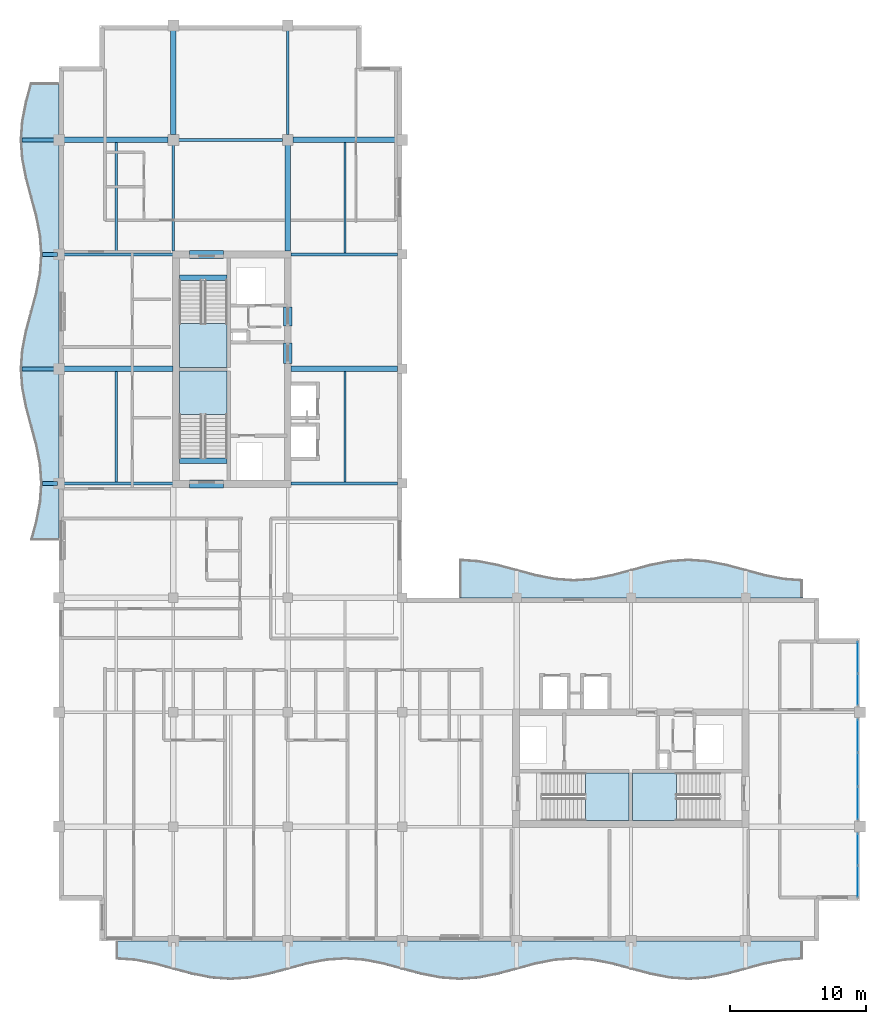
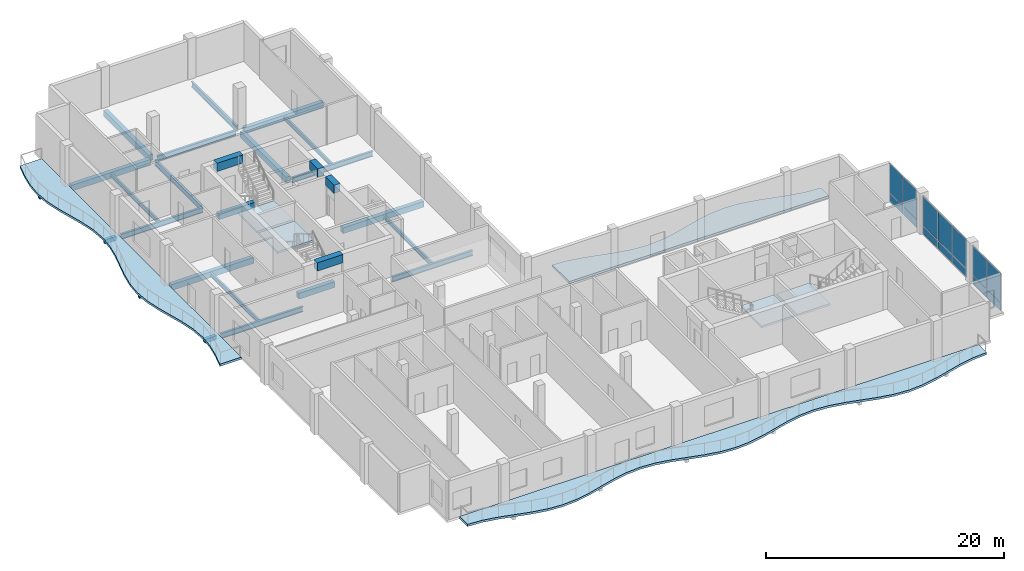
# One storey, part 5 of 16: 27 beams, 14 plates, 7 slabs, 7 elements without a shape of their own.
"""IFC4 building model written with IfcOpenShell, lengths in metres."""

from ifc_helpers import new_model, si_unit, direction, frame, origin, origin_2d, place, context, subcontext, project, spatial, polyline, rectangle, i_section, outline, extrude, material, layer, layer_set, material_profile, profile_set, type_object, element, aggregate, save


model = new_model("IFC4")

# Units and contexts
model_context = context("Model", 3, precision=1e-05, world=origin(), true_north=direction((0.0, 1.0)))
body_context = subcontext(model_context, "Body", "Model", "MODEL_VIEW")
ifc_project = project(units=[si_unit("LENGTHUNIT", "METRE"), si_unit("AREAUNIT", "SQUARE_METRE"), si_unit("VOLUMEUNIT", "CUBIC_METRE"), si_unit("PLANEANGLEUNIT", "RADIAN"), si_unit("MASSUNIT", "GRAM", prefix="KILO")], contexts=[model_context])

# Site, building, storey
site_placement = place(None, origin())
site = spatial("IfcSite", under=ifc_project, at=site_placement, CompositionType="ELEMENT")
building_placement = place(site_placement, origin())
building = spatial("IfcBuilding", under=site, at=building_placement, Name="Koriwani Terraces Tower", CompositionType="ELEMENT")
storey_placement = place(building_placement, frame((0.0, 0.0, 355.39990234375)))
storey = spatial("IfcBuildingStorey", under=building, at=storey_placement, Name="L88", CompositionType="ELEMENT", Elevation=355.39990234375)

# Beams
ifc_material_1 = material(Name="Concrete C40/50", Category="concrete")
ifc_material_profile_1 = material_profile(ifc_material_1, rectangle(XDim=0.300048828125, YDim=0.39990234375, at=origin_2d()), Name="Concrete C40/50", Category="LoadBearing")
ifc_profile_set_1 = profile_set([ifc_material_profile_1], Name="Concrete C40/50")
beam_type_1 = type_object("IfcBeamType", Name="BEAM_RC_BALCONY_RIB_300X400", PredefinedType="JOIST", material=ifc_profile_set_1)
beam_1_placement = place(storey_placement, frame((7.199951171875, 42.0, -0.429931640625), z_axis=(1.0, 0.0, 0.0), x_axis=(0.0, 1.0, 0.0)))
element("IfcBeam", 1, at=beam_1_placement, inside=storey, type_object=beam_type_1, Name="L88 Balcony Bracket Rib W-1", PredefinedType="JOIST", context=body_context, shape_type="SweptSolid", body=[
    extrude(rectangle(XDim=0.300048828125, YDim=0.39990234375, at=origin_2d()), origin(), (0.0, 0.0, 1.0), 1.10009765625),
])
beam_2_placement = place(storey_placement, frame((5.699951171875, 50.39990234375, -0.429931640625), z_axis=(1.0, 0.0, 0.0), x_axis=(0.0, 1.0, 0.0)))
element("IfcBeam", 2, at=beam_2_placement, inside=storey, type_object=beam_type_1, Name="L88 Balcony Bracket Rib W-2", PredefinedType="JOIST", context=body_context, shape_type="SweptSolid", body=[
    extrude(rectangle(XDim=0.300048828125, YDim=0.39990234375, at=origin_2d()), origin(), (0.0, 0.0, 1.0), 2.60009765625),
])
beam_3_placement = place(storey_placement, frame((7.199951171875, 58.800048828125, -0.429931640625), z_axis=(1.0, 0.0, 0.0), x_axis=(0.0, 1.0, 0.0)))
element("IfcBeam", 3, at=beam_3_placement, inside=storey, type_object=beam_type_1, Name="L88 Balcony Bracket Rib W-3", PredefinedType="JOIST", context=body_context, shape_type="SweptSolid", body=[
    extrude(rectangle(XDim=0.300048828125, YDim=0.39990234375, at=origin_2d()), origin(), (0.0, 0.0, 1.0), 1.10009765625),
])
beam_4_placement = place(storey_placement, frame((5.699951171875, 67.199951171875, -0.429931640625), z_axis=(1.0, 0.0, 0.0), x_axis=(0.0, 1.0, 0.0)))
element("IfcBeam", 4, at=beam_4_placement, inside=storey, type_object=beam_type_1, Name="L88 Balcony Bracket Rib W-4", PredefinedType="JOIST", context=body_context, shape_type="SweptSolid", body=[
    extrude(rectangle(XDim=0.300048828125, YDim=0.39990234375, at=origin_2d()), origin(), (0.0, 0.0, 1.0), 2.60009765625),
])
ifc_material_2 = material(Name="Concrete C50/60", Category="concrete")
ifc_material_profile_2 = material_profile(ifc_material_2, rectangle(XDim=0.60009765625, YDim=0.85009765625, at=origin_2d()), Name="Concrete C50/60", Category="LoadBearing")
ifc_profile_set_2 = profile_set([ifc_material_profile_2], Name="Concrete C50/60")
beam_type_2 = type_object("IfcBeamType", Name="BEAM_RC_COUPLING_600X850", PredefinedType="LINTEL", material=ifc_profile_set_2)
beam_5_placement = place(storey_placement, frame((25.199951171875, 50.800048828125, 3.545166015625), z_axis=(0.0, 1.0, 0.0), x_axis=(-1.0, 0.0, 0.0)))
element("IfcBeam", 5, at=beam_5_placement, inside=storey, type_object=beam_type_2, Name="L88 Core Coupling Lintel Beam WE1", PredefinedType="LINTEL", context=body_context, shape_type="SweptSolid", body=[
    extrude(rectangle(XDim=0.60009765625, YDim=0.85009765625, at=origin_2d()), origin(), (0.0, 0.0, 1.0), 1.47998046875),
])
beam_6_placement = place(storey_placement, frame((25.199951171875, 53.550048828125, 3.545166015625), z_axis=(0.0, 1.0, 0.0), x_axis=(-1.0, 0.0, 0.0)))
element("IfcBeam", 6, at=beam_6_placement, inside=storey, type_object=beam_type_2, Name="L88 Core Coupling Lintel Beam WE2", PredefinedType="LINTEL", context=body_context, shape_type="SweptSolid", body=[
    extrude(rectangle(XDim=0.60009765625, YDim=0.85009765625, at=origin_2d()), origin(), (0.0, 0.0, 1.0), 1.39990234375),
])
for number, where, z_axis, x_axis, name in (
    (7, (18.0, 41.949951171875, 3.545166015625), (1.0, 0.0, 0.0), (0.0, 1.0, 0.0), "L88 Core Coupling Lintel Beam WS"),
    (8, (18.0, 58.800048828125, 3.545166015625), (1.0, 0.0, 0.0), (0.0, 1.0, 0.0), "L88 Core Coupling Lintel Beam WN"),
):
    element("IfcBeam", number, at=place(storey_placement, frame(where, z_axis=z_axis, x_axis=x_axis)), inside=storey, type_object=beam_type_2, Name=name, PredefinedType="LINTEL", context=body_context, shape_type="SweptSolid", body=[
        extrude(rectangle(XDim=0.60009765625, YDim=0.85009765625, at=origin_2d()), origin(), (0.0, 0.0, 1.0), 2.5),
    ])
ifc_material_profile_3 = material_profile(ifc_material_1, rectangle(XDim=0.39990234375, YDim=0.60009765625, at=origin_2d()), Name="Concrete C40/50", Category="LoadBearing")
ifc_profile_set_3 = profile_set([ifc_material_profile_3], Name="Concrete C40/50")
beam_type_3 = type_object("IfcBeamType", Name="BEAM_RC_GRID_400X600", PredefinedType="BEAM", material=ifc_profile_set_3)
for number, where, z_axis, x_axis, name in (
    (9, (17.25, 43.655029296875, -0.2998046875), (1.0, 0.0, 0.0), (0.0, 1.0, 0.0), "L88 Stairwell Header Trimmer Beam ST-W1"),
    (10, (17.25, 57.094970703125, -0.2998046875), (1.0, 0.0, 0.0), (0.0, 1.0, 0.0), "L88 Stairwell Header Trimmer Beam ST-W2"),
):
    element("IfcBeam", number, at=place(storey_placement, frame(where, z_axis=z_axis, x_axis=x_axis)), inside=storey, type_object=beam_type_3, Name=name, PredefinedType="BEAM", context=body_context, shape_type="SweptSolid", body=[
        extrude(rectangle(XDim=0.39990234375, YDim=0.60009765625, at=origin_2d()), origin(), (0.0, 0.0, 1.0), 3.5),
    ])
beam_7_placement = place(storey_placement, frame((8.780029296875, 50.39990234375, -0.52978515625), z_axis=(1.0, 0.0, 0.0), x_axis=(0.0, 1.0, 0.0)))
element("IfcBeam", 11, at=beam_7_placement, inside=storey, type_object=beam_type_3, Name="L88 Grid Beam G (8.4-16.8m)", PredefinedType="BEAM", context=body_context, shape_type="SweptSolid", body=[
    extrude(rectangle(XDim=0.39990234375, YDim=0.60009765625, at=origin_2d()), origin(), (0.0, 0.0, 1.0), 7.989990234375),
])
beam_8_placement = place(storey_placement, frame((25.429931640625, 50.39990234375, -0.52978515625), z_axis=(1.0, 0.0, 0.0), x_axis=(0.0, 1.0, 0.0)))
element("IfcBeam", 12, at=beam_8_placement, inside=storey, type_object=beam_type_3, Name="L88 Grid Beam G (25.2-33.6m)", PredefinedType="BEAM", context=body_context, shape_type="SweptSolid", body=[
    extrude(rectangle(XDim=0.39990234375, YDim=0.60009765625, at=origin_2d()), origin(), (0.0, 0.0, 1.0), 7.840087890625),
])
for number, where, z_axis, x_axis, name in (
    (13, (8.780029296875, 67.199951171875, -0.52978515625), (1.0, 0.0, 0.0), (0.0, 1.0, 0.0), "L88 Grid Beam I (8.4-16.8m)"),
    (14, (25.580078125, 67.199951171875, -0.52978515625), (1.0, 0.0, 0.0), (0.0, 1.0, 0.0), "L88 Grid Beam I (25.2-33.6m)"),
    (15, (16.800048828125, 67.580078125, -0.52978515625), (0.0, 1.0, 0.0), (-1.0, 0.0, 0.0), "L88 Grid Beam 3 (67.2-75.6m)"),
):
    element("IfcBeam", number, at=place(storey_placement, frame(where, z_axis=z_axis, x_axis=x_axis)), inside=storey, type_object=beam_type_3, Name=name, PredefinedType="BEAM", context=body_context, shape_type="SweptSolid", body=[
        extrude(rectangle(XDim=0.39990234375, YDim=0.60009765625, at=origin_2d()), origin(), (0.0, 0.0, 1.0), 7.639892578125),
    ])
beam_9_placement = place(storey_placement, frame((25.199951171875, 59.030029296875, -0.52978515625), z_axis=(0.0, 1.0, 0.0), x_axis=(-1.0, 0.0, 0.0)))
element("IfcBeam", 16, at=beam_9_placement, inside=storey, type_object=beam_type_3, Name="L88 Grid Beam 4 (58.8-67.2m)", PredefinedType="BEAM", context=body_context, shape_type="SweptSolid", body=[
    extrude(rectangle(XDim=0.39990234375, YDim=0.60009765625, at=origin_2d()), origin(), (0.0, 0.0, 1.0), 7.7900390625),
])
ifc_material_3 = material(Name="Steel ASTM A572 Grade 50", Category="steel")
ifc_material_profile_4 = material_profile(ifc_material_3, i_section(OverallWidth=0.180908203125, OverallDepth=0.4169921875, WebThickness=0.010986328125, FlangeThickness=0.018310546875, at=origin_2d()), Name="Steel ASTM A572 Grade 50", Category="LoadBearing")
ifc_profile_set_4 = profile_set([ifc_material_profile_4], Name="Steel ASTM A572 Grade 50")
beam_type_4 = type_object("IfcBeamType", Name="STEEL_BEAM_W410X85", PredefinedType="JOIST", material=ifc_profile_set_4)
for number, where, z_axis, x_axis, name in (
    (17, (12.60009765625, 42.095947265625, -0.4384765625), (0.0, 1.0, 0.0), (-1.0, 0.0, 0.0), "L88 Secondary Steel Floor Joist X=12.6m"),
    (18, (12.60009765625, 58.89599609375, -0.4384765625), (0.0, 1.0, 0.0), (-1.0, 0.0, 0.0), "L88 Secondary Steel Floor Joist X=12.6m"),
    (19, (29.39990234375, 42.095947265625, -0.4384765625), (0.0, 1.0, 0.0), (-1.0, 0.0, 0.0), "L88 Secondary Steel Floor Joist X=29.4m"),
    (20, (29.39990234375, 58.89599609375, -0.4384765625), (0.0, 1.0, 0.0), (-1.0, 0.0, 0.0), "L88 Secondary Steel Floor Joist X=29.4m"),
):
    element("IfcBeam", number, at=place(storey_placement, frame(where, z_axis=z_axis, x_axis=x_axis)), inside=storey, type_object=beam_type_4, Name=name, PredefinedType="JOIST", context=body_context, shape_type="SweptSolid", body=[
        extrude(i_section(OverallWidth=0.180908203125, OverallDepth=0.4169921875, WebThickness=0.010986328125, FlangeThickness=0.018310546875, at=origin_2d()), origin(), (0.0, 0.0, 1.0), 8.114013671875),
    ])
ifc_material_profile_5 = material_profile(ifc_material_3, i_section(OverallWidth=0.2119140625, OverallDepth=0.54296875, WebThickness=0.0126953125, FlangeThickness=0.021240234375, at=origin_2d()), Name="Steel ASTM A572 Grade 50", Category="LoadBearing")
ifc_profile_set_5 = profile_set([ifc_material_profile_5], Name="Steel ASTM A572 Grade 50")
beam_type_5 = type_object("IfcBeamType", Name="STEEL_BEAM_W530X150", PredefinedType="BEAM", material=ifc_profile_set_5)
beam_10_placement = place(storey_placement, frame((8.780029296875, 42.0, -0.50146484375), z_axis=(1.0, 0.0, 0.0), x_axis=(0.0, 1.0, 0.0)))
element("IfcBeam", 21, at=beam_10_placement, inside=storey, type_object=beam_type_5, Name="L88 Grid Beam F (8.4-16.8m)", PredefinedType="BEAM", context=body_context, shape_type="SweptSolid", body=[
    extrude(i_section(OverallWidth=0.2119140625, OverallDepth=0.54296875, WebThickness=0.0126953125, FlangeThickness=0.021240234375, at=origin_2d()), origin(), (0.0, 0.0, 1.0), 7.989990234375),
])
beam_11_placement = place(storey_placement, frame((25.429931640625, 42.0, -0.50146484375), z_axis=(1.0, 0.0, 0.0), x_axis=(0.0, 1.0, 0.0)))
element("IfcBeam", 22, at=beam_11_placement, inside=storey, type_object=beam_type_5, Name="L88 Grid Beam F (25.2-33.6m)", PredefinedType="BEAM", context=body_context, shape_type="SweptSolid", body=[
    extrude(i_section(OverallWidth=0.2119140625, OverallDepth=0.54296875, WebThickness=0.0126953125, FlangeThickness=0.021240234375, at=origin_2d()), origin(), (0.0, 0.0, 1.0), 7.840087890625),
])
beam_12_placement = place(storey_placement, frame((8.780029296875, 58.800048828125, -0.50146484375), z_axis=(1.0, 0.0, 0.0), x_axis=(0.0, 1.0, 0.0)))
element("IfcBeam", 23, at=beam_12_placement, inside=storey, type_object=beam_type_5, Name="L88 Grid Beam H (8.4-16.8m)", PredefinedType="BEAM", context=body_context, shape_type="SweptSolid", body=[
    extrude(i_section(OverallWidth=0.2119140625, OverallDepth=0.54296875, WebThickness=0.0126953125, FlangeThickness=0.021240234375, at=origin_2d()), origin(), (0.0, 0.0, 1.0), 7.989990234375),
])
beam_13_placement = place(storey_placement, frame((25.429931640625, 58.800048828125, -0.50146484375), z_axis=(1.0, 0.0, 0.0), x_axis=(0.0, 1.0, 0.0)))
element("IfcBeam", 24, at=beam_13_placement, inside=storey, type_object=beam_type_5, Name="L88 Grid Beam H (25.2-33.6m)", PredefinedType="BEAM", context=body_context, shape_type="SweptSolid", body=[
    extrude(i_section(OverallWidth=0.2119140625, OverallDepth=0.54296875, WebThickness=0.0126953125, FlangeThickness=0.021240234375, at=origin_2d()), origin(), (0.0, 0.0, 1.0), 7.840087890625),
])
beam_14_placement = place(storey_placement, frame((17.179931640625, 67.199951171875, -0.50146484375), z_axis=(1.0, 0.0, 0.0), x_axis=(0.0, 1.0, 0.0)))
element("IfcBeam", 25, at=beam_14_placement, inside=storey, type_object=beam_type_5, Name="L88 Grid Beam I (16.8-25.2m)", PredefinedType="BEAM", context=body_context, shape_type="SweptSolid", body=[
    extrude(i_section(OverallWidth=0.2119140625, OverallDepth=0.54296875, WebThickness=0.0126953125, FlangeThickness=0.021240234375, at=origin_2d()), origin(), (0.0, 0.0, 1.0), 7.64013671875),
])
beam_15_placement = place(storey_placement, frame((16.800048828125, 59.030029296875, -0.50146484375), z_axis=(0.0, 1.0, 0.0), x_axis=(-1.0, 0.0, 0.0)))
element("IfcBeam", 26, at=beam_15_placement, inside=storey, type_object=beam_type_5, Name="L88 Grid Beam 3 (58.8-67.2m)", PredefinedType="BEAM", context=body_context, shape_type="SweptSolid", body=[
    extrude(i_section(OverallWidth=0.2119140625, OverallDepth=0.54296875, WebThickness=0.0126953125, FlangeThickness=0.021240234375, at=origin_2d()), origin(), (0.0, 0.0, 1.0), 7.7900390625),
])
beam_16_placement = place(storey_placement, frame((25.199951171875, 67.580078125, -0.50146484375), z_axis=(0.0, 1.0, 0.0), x_axis=(-1.0, 0.0, 0.0)))
element("IfcBeam", 27, at=beam_16_placement, inside=storey, type_object=beam_type_5, Name="L88 Grid Beam 4 (67.2-75.6m)", PredefinedType="BEAM", context=body_context, shape_type="SweptSolid", body=[
    extrude(i_section(OverallWidth=0.2119140625, OverallDepth=0.54296875, WebThickness=0.0126953125, FlangeThickness=0.021240234375, at=origin_2d()), origin(), (0.0, 0.0, 1.0), 7.639892578125),
])

# Curtain wall, plates
ifc_material_4 = material(Name="Anodised Bronze Aluminium", Category="aluminium")
ifc_layer_1 = layer(ifc_material_4, 0.18994140625, Name="Anodised Bronze Aluminium")
ifc_layer_set_1 = layer_set([ifc_layer_1], Name="Anodised Bronze Aluminium")
curtain_wall_type = type_object("IfcCurtainWallType", Name="CW_PENTHOUSE_ZONE5", PredefinedType="NOTDEFINED", material=ifc_layer_set_1)
curtain_wall_1_placement = place(storey_placement, origin())
curtain_wall_1 = element("IfcCurtainWall", 28, at=curtain_wall_1_placement, inside=storey, type_object=curtain_wall_type, Name="L88 Unitised Curtain Wall (E_TIP) Bay 1", PredefinedType="NOTDEFINED")
ifc_material_5 = material(Name="Tempered Laminated Low-E Glass", Category="glass")
ifc_layer_2 = layer(ifc_material_5, 0.028076171875, Name="Tempered Laminated Low-E Glass")
ifc_layer_set_2 = layer_set([ifc_layer_2], Name="Tempered Laminated Low-E Glass")
plate_type = type_object("IfcPlateType", Name="CW_PANEL_VISION_28", PredefinedType="CURTAIN_PANEL", material=ifc_layer_set_2)
plate_1_placement = place(storey_placement, frame((67.02490234375, 29.215087890625, 0.06494140625), z_axis=(0.0, 0.0, 1.0), x_axis=(0.0, -1.0, 0.0)))
plate_1 = element("IfcPlate", 29, at=plate_1_placement, type_object=plate_type, Name="CW-Z5 panel 1.1", PredefinedType="CURTAIN_PANEL", context=body_context, shape_type="SweptSolid", body=[
    extrude(rectangle(XDim=2.27001953125, YDim=0.028076171875, at=origin_2d()), origin(), (0.0, 0.0, 1.0), 0.802490234375),
])
plate_2_placement = place(storey_placement, frame((67.02490234375, 29.215087890625, 0.9326171875), z_axis=(0.0, 0.0, 1.0), x_axis=(0.0, -1.0, 0.0)))
plate_2 = element("IfcPlate", 30, at=plate_2_placement, type_object=plate_type, Name="CW-Z5 panel 1.2", PredefinedType="CURTAIN_PANEL", context=body_context, shape_type="SweptSolid", body=[
    extrude(rectangle(XDim=2.27001953125, YDim=0.028076171875, at=origin_2d()), origin(), (0.0, 0.0, 1.0), 2.972412109375),
])
plate_3_placement = place(storey_placement, frame((67.02490234375, 26.8701171875, 0.06494140625), z_axis=(0.0, 0.0, 1.0), x_axis=(0.0, -1.0, 0.0)))
plate_3 = element("IfcPlate", 31, at=plate_3_placement, type_object=plate_type, Name="CW-Z5 panel 2.1", PredefinedType="CURTAIN_PANEL", context=body_context, shape_type="SweptSolid", body=[
    extrude(rectangle(XDim=2.27001953125, YDim=0.028076171875, at=origin_2d()), origin(), (0.0, 0.0, 1.0), 0.802490234375),
])
plate_4_placement = place(storey_placement, frame((67.02490234375, 26.8701171875, 0.9326171875), z_axis=(0.0, 0.0, 1.0), x_axis=(0.0, -1.0, 0.0)))
plate_4 = element("IfcPlate", 32, at=plate_4_placement, type_object=plate_type, Name="CW-Z5 panel 2.2", PredefinedType="CURTAIN_PANEL", context=body_context, shape_type="SweptSolid", body=[
    extrude(rectangle(XDim=2.27001953125, YDim=0.028076171875, at=origin_2d()), origin(), (0.0, 0.0, 1.0), 2.972412109375),
])
aggregate(curtain_wall_1, [plate_1, plate_2, plate_3, plate_4])

curtain_wall_2_placement = place(storey_placement, origin())
curtain_wall_2 = element("IfcCurtainWall", 33, at=curtain_wall_2_placement, inside=storey, type_object=curtain_wall_type, Name="L88 Unitised Curtain Wall (E_TIP) Bay 2", PredefinedType="NOTDEFINED")
plate_5_placement = place(storey_placement, frame((67.02490234375, 23.474609375, 0.06494140625), z_axis=(0.0, 0.0, 1.0), x_axis=(0.0, -1.0, 0.0)))
plate_5 = element("IfcPlate", 34, at=plate_5_placement, type_object=plate_type, Name="CW-Z5 panel 1.1", PredefinedType="CURTAIN_PANEL", context=body_context, shape_type="SweptSolid", body=[
    extrude(rectangle(XDim=2.380859375, YDim=0.028076171875, at=origin_2d()), origin(), (0.0, 0.0, 1.0), 0.802490234375),
])
plate_6_placement = place(storey_placement, frame((67.02490234375, 23.474609375, 0.9326171875), z_axis=(0.0, 0.0, 1.0), x_axis=(0.0, -1.0, 0.0)))
plate_6 = element("IfcPlate", 35, at=plate_6_placement, type_object=plate_type, Name="CW-Z5 panel 1.2", PredefinedType="CURTAIN_PANEL", context=body_context, shape_type="SweptSolid", body=[
    extrude(rectangle(XDim=2.380859375, YDim=0.028076171875, at=origin_2d()), origin(), (0.0, 0.0, 1.0), 2.972412109375),
])
plate_7_placement = place(storey_placement, frame((67.02490234375, 21.0, 0.06494140625), z_axis=(0.0, 0.0, 1.0), x_axis=(0.0, -1.0, 0.0)))
plate_7 = element("IfcPlate", 36, at=plate_7_placement, type_object=plate_type, Name="CW-Z5 panel 2.1", PredefinedType="CURTAIN_PANEL", context=body_context, shape_type="SweptSolid", body=[
    extrude(rectangle(XDim=2.418212890625, YDim=0.028076171875, at=origin_2d()), origin(), (0.0, 0.0, 1.0), 0.802490234375),
])
plate_8_placement = place(storey_placement, frame((67.02490234375, 21.0, 0.9326171875), z_axis=(0.0, 0.0, 1.0), x_axis=(0.0, -1.0, 0.0)))
plate_8 = element("IfcPlate", 37, at=plate_8_placement, type_object=plate_type, Name="CW-Z5 panel 2.2", PredefinedType="CURTAIN_PANEL", context=body_context, shape_type="SweptSolid", body=[
    extrude(rectangle(XDim=2.418212890625, YDim=0.028076171875, at=origin_2d()), origin(), (0.0, 0.0, 1.0), 2.972412109375),
])
plate_9_placement = place(storey_placement, frame((67.02490234375, 18.525390625, 0.06494140625), z_axis=(0.0, 0.0, 1.0), x_axis=(0.0, -1.0, 0.0)))
plate_9 = element("IfcPlate", 38, at=plate_9_placement, type_object=plate_type, Name="CW-Z5 panel 3.1", PredefinedType="CURTAIN_PANEL", context=body_context, shape_type="SweptSolid", body=[
    extrude(rectangle(XDim=2.380859375, YDim=0.028076171875, at=origin_2d()), origin(), (0.0, 0.0, 1.0), 0.802490234375),
])
plate_10_placement = place(storey_placement, frame((67.02490234375, 18.525390625, 0.9326171875), z_axis=(0.0, 0.0, 1.0), x_axis=(0.0, -1.0, 0.0)))
plate_10 = element("IfcPlate", 39, at=plate_10_placement, type_object=plate_type, Name="CW-Z5 panel 3.2", PredefinedType="CURTAIN_PANEL", context=body_context, shape_type="SweptSolid", body=[
    extrude(rectangle(XDim=2.380859375, YDim=0.028076171875, at=origin_2d()), origin(), (0.0, 0.0, 1.0), 2.972412109375),
])
aggregate(curtain_wall_2, [plate_5, plate_6, plate_7, plate_8, plate_9, plate_10])

curtain_wall_3_placement = place(storey_placement, origin())
curtain_wall_3 = element("IfcCurtainWall", 40, at=curtain_wall_3_placement, inside=storey, type_object=curtain_wall_type, Name="L88 Unitised Curtain Wall (E_TIP) Bay 3", PredefinedType="NOTDEFINED")
plate_11_placement = place(storey_placement, frame((67.02490234375, 15.1298828125, 0.06494140625), z_axis=(0.0, 0.0, 1.0), x_axis=(0.0, -1.0, 0.0)))
plate_11 = element("IfcPlate", 41, at=plate_11_placement, type_object=plate_type, Name="CW-Z5 panel 1.1", PredefinedType="CURTAIN_PANEL", context=body_context, shape_type="SweptSolid", body=[
    extrude(rectangle(XDim=2.27001953125, YDim=0.028076171875, at=origin_2d()), origin(), (0.0, 0.0, 1.0), 0.802490234375),
])
plate_12_placement = place(storey_placement, frame((67.02490234375, 15.1298828125, 0.9326171875), z_axis=(0.0, 0.0, 1.0), x_axis=(0.0, -1.0, 0.0)))
plate_12 = element("IfcPlate", 42, at=plate_12_placement, type_object=plate_type, Name="CW-Z5 panel 1.2", PredefinedType="CURTAIN_PANEL", context=body_context, shape_type="SweptSolid", body=[
    extrude(rectangle(XDim=2.27001953125, YDim=0.028076171875, at=origin_2d()), origin(), (0.0, 0.0, 1.0), 2.972412109375),
])
plate_13_placement = place(storey_placement, frame((67.02490234375, 12.784912109375, 0.06494140625), z_axis=(0.0, 0.0, 1.0), x_axis=(0.0, -1.0, 0.0)))
plate_13 = element("IfcPlate", 43, at=plate_13_placement, type_object=plate_type, Name="CW-Z5 panel 2.1", PredefinedType="CURTAIN_PANEL", context=body_context, shape_type="SweptSolid", body=[
    extrude(rectangle(XDim=2.27001953125, YDim=0.028076171875, at=origin_2d()), origin(), (0.0, 0.0, 1.0), 0.802490234375),
])
plate_14_placement = place(storey_placement, frame((67.02490234375, 12.784912109375, 0.9326171875), z_axis=(0.0, 0.0, 1.0), x_axis=(0.0, -1.0, 0.0)))
plate_14 = element("IfcPlate", 44, at=plate_14_placement, type_object=plate_type, Name="CW-Z5 panel 2.2", PredefinedType="CURTAIN_PANEL", context=body_context, shape_type="SweptSolid", body=[
    extrude(rectangle(XDim=2.27001953125, YDim=0.028076171875, at=origin_2d()), origin(), (0.0, 0.0, 1.0), 2.972412109375),
])
aggregate(curtain_wall_3, [plate_11, plate_12, plate_13, plate_14])

# Slabs
ifc_layer_3 = layer(ifc_material_1, 0.219970703125, Name="Concrete C40/50")
ifc_layer_set_3 = layer_set([ifc_layer_3], Name="Concrete C40/50")
slab_type_1 = type_object("IfcSlabType", Name="SLAB_BALCONY_220", PredefinedType="FLOOR", material=ifc_layer_set_3)
slab_1_placement = place(storey_placement, frame((0.0, 0.0, -0.219970703125)))
element("IfcSlab", 45, at=slab_1_placement, inside=storey, type_object=slab_type_1, Name="L88 Quilted Circular-Arc Balcony (S)", PredefinedType="FLOOR", context=body_context, shape_type="SweptSolid", body=[
    extrude(outline(polyline([(12.60009765625, 8.39990234375), (14.0, 8.39990234375), (15.39990234375, 8.39990234375), (16.800048828125, 8.39990234375), (18.199951171875, 8.39990234375), (19.60009765625, 8.39990234375), (21.0, 8.39990234375), (22.39990234375, 8.39990234375), (23.800048828125, 8.39990234375), (25.199951171875, 8.39990234375), (26.60009765625, 8.39990234375), (28.0, 8.39990234375), (29.39990234375, 8.39990234375), (30.800048828125, 8.39990234375), (32.199951171875, 8.39990234375), (33.60009765625, 8.39990234375), (35.0, 8.39990234375), (36.39990234375, 8.39990234375), (37.800048828125, 8.39990234375), (39.199951171875, 8.39990234375), (40.60009765625, 8.39990234375), (42.0, 8.39990234375), (43.39990234375, 8.39990234375), (44.800048828125, 8.39990234375), (46.199951171875, 8.39990234375), (47.60009765625, 8.39990234375), (49.0, 8.39990234375), (50.39990234375, 8.39990234375), (51.800048828125, 8.39990234375), (53.199951171875, 8.39990234375), (54.60009765625, 8.39990234375), (56.0, 8.39990234375), (57.39990234375, 8.39990234375), (58.800048828125, 8.39990234375), (60.199951171875, 8.39990234375), (61.60009765625, 8.39990234375), (63.0, 8.39990234375), (63.0, 7.050048828125), (61.60009765625, 6.949462890625), (60.199951171875, 6.675048828125), (58.800048828125, 6.300048828125), (57.39990234375, 5.925048828125), (56.0, 5.650390625), (54.60009765625, 5.550048828125), (53.199951171875, 5.650390625), (51.800048828125, 5.925048828125), (50.39990234375, 6.300048828125), (49.0, 6.675048828125), (47.60009765625, 6.949462890625), (46.199951171875, 7.050048828125), (44.800048828125, 6.949462890625), (43.39990234375, 6.675048828125), (42.0, 6.300048828125), (40.60009765625, 5.925048828125), (39.199951171875, 5.650390625), (37.800048828125, 5.550048828125), (36.39990234375, 5.650390625), (35.0, 5.925048828125), (33.60009765625, 6.300048828125), (32.199951171875, 6.675048828125), (30.800048828125, 6.949462890625), (29.39990234375, 7.050048828125), (28.0, 6.949462890625), (26.60009765625, 6.675048828125), (25.199951171875, 6.300048828125), (23.800048828125, 5.925048828125), (22.39990234375, 5.650390625), (21.0, 5.550048828125), (19.60009765625, 5.650390625), (18.199951171875, 5.925048828125), (16.800048828125, 6.300048828125), (15.39990234375, 6.675048828125), (14.0, 6.949462890625), (12.60009765625, 7.050048828125), (12.60009765625, 8.39990234375)])), origin(), (0.0, 0.0, 1.0), 0.219970703125),
])
slab_2_placement = place(storey_placement, frame((0.0, 0.0, -0.219970703125)))
element("IfcSlab", 46, at=slab_2_placement, inside=storey, type_object=slab_type_1, Name="L88 Quilted Circular-Arc Balcony (W)", PredefinedType="FLOOR", context=body_context, shape_type="SweptSolid", body=[
    extrude(outline(polyline([(8.39990234375, 37.800048828125), (8.39990234375, 39.199951171875), (8.39990234375, 40.60009765625), (8.39990234375, 42.0), (8.39990234375, 43.39990234375), (8.39990234375, 44.800048828125), (8.39990234375, 46.199951171875), (8.39990234375, 47.60009765625), (8.39990234375, 49.0), (8.39990234375, 50.39990234375), (8.39990234375, 51.800048828125), (8.39990234375, 53.199951171875), (8.39990234375, 54.60009765625), (8.39990234375, 56.0), (8.39990234375, 57.39990234375), (8.39990234375, 58.800048828125), (8.39990234375, 60.199951171875), (8.39990234375, 61.60009765625), (8.39990234375, 63.0), (8.39990234375, 64.39990234375), (8.39990234375, 65.800048828125), (8.39990234375, 67.199951171875), (8.39990234375, 68.60009765625), (8.39990234375, 70.0), (8.39990234375, 71.39990234375), (6.300048828125, 71.39990234375), (5.925048828125, 70.0), (5.650390625, 68.60009765625), (5.550048828125, 67.199951171875), (5.650390625, 65.800048828125), (5.925048828125, 64.39990234375), (6.300048828125, 63.0), (6.675048828125, 61.60009765625), (6.949462890625, 60.199951171875), (7.050048828125, 58.800048828125), (6.949462890625, 57.39990234375), (6.675048828125, 56.0), (6.300048828125, 54.60009765625), (5.925048828125, 53.199951171875), (5.650390625, 51.800048828125), (5.550048828125, 50.39990234375), (5.650390625, 49.0), (5.925048828125, 47.60009765625), (6.300048828125, 46.199951171875), (6.675048828125, 44.800048828125), (6.949462890625, 43.39990234375), (7.050048828125, 42.0), (6.949462890625, 40.60009765625), (6.675048828125, 39.199951171875), (6.300048828125, 37.800048828125), (8.39990234375, 37.800048828125)])), origin(), (0.0, 0.0, 1.0), 0.219970703125),
])
slab_3_placement = place(storey_placement, frame((0.0, 0.0, -0.219970703125)))
element("IfcSlab", 47, at=slab_3_placement, inside=storey, type_object=slab_type_1, Name="L88 Quilted Circular-Arc Balcony (NE)", PredefinedType="FLOOR", context=body_context, shape_type="SweptSolid", body=[
    extrude(outline(polyline([(63.0, 33.60009765625), (61.60009765625, 33.60009765625), (60.199951171875, 33.60009765625), (58.800048828125, 33.60009765625), (57.39990234375, 33.60009765625), (56.0, 33.60009765625), (54.60009765625, 33.60009765625), (53.199951171875, 33.60009765625), (51.800048828125, 33.60009765625), (50.39990234375, 33.60009765625), (49.0, 33.60009765625), (47.60009765625, 33.60009765625), (46.199951171875, 33.60009765625), (44.800048828125, 33.60009765625), (43.39990234375, 33.60009765625), (42.0, 33.60009765625), (40.60009765625, 33.60009765625), (39.199951171875, 33.60009765625), (37.800048828125, 33.60009765625), (37.800048828125, 36.449951171875), (39.199951171875, 36.349609375), (40.60009765625, 36.074951171875), (42.0, 35.699951171875), (43.39990234375, 35.324951171875), (44.800048828125, 35.050537109375), (46.199951171875, 34.949951171875), (47.60009765625, 35.050537109375), (49.0, 35.324951171875), (50.39990234375, 35.699951171875), (51.800048828125, 36.074951171875), (53.199951171875, 36.349609375), (54.60009765625, 36.449951171875), (56.0, 36.349609375), (57.39990234375, 36.074951171875), (58.800048828125, 35.699951171875), (60.199951171875, 35.324951171875), (61.60009765625, 35.050537109375), (63.0, 34.949951171875), (63.0, 33.60009765625)])), origin(), (0.0, 0.0, 1.0), 0.219970703125),
])

# Stair, slab
stair_type = type_object("IfcStairType", Name="STAIR_CORE_DOGLEG_1650", PredefinedType="TWO_STRAIGHT_RUN_STAIR", material=ifc_material_1)
stair_1_placement = place(storey_placement, origin())
stair_1 = element("IfcStair", 48, at=stair_1_placement, inside=storey, type_object=stair_type, Name="L88 West Core Exit Stair 1", PredefinedType="HALF_TURN_STAIR")
ifc_layer_4 = layer(ifc_material_1, 0.199951171875, Name="Concrete C40/50")
ifc_layer_set_4 = layer_set([ifc_layer_4], Name="Concrete C40/50")
slab_type_2 = type_object("IfcSlabType", Name="SLAB_STAIR_LANDING_200", PredefinedType="LANDING", material=ifc_layer_set_4)
slab_4_placement = place(storey_placement, frame((0.0, 0.0, 1.900146484375)))
slab_4 = element("IfcSlab", 49, at=slab_4_placement, type_object=slab_type_2, Name="ST-W1 landing 1", PredefinedType="LANDING", context=body_context, shape_type="SweptSolid", body=[
    extrude(outline(polyline([(20.75, 47.0400390625), (20.75, 50.25), (17.25, 50.25), (17.25, 47.0400390625), (20.75, 47.0400390625)])), origin(), (0.0, 0.0, 1.0), 0.199951171875),
])
aggregate(stair_1, [slab_4])

stair_2_placement = place(storey_placement, origin())
stair_2 = element("IfcStair", 50, at=stair_2_placement, inside=storey, type_object=stair_type, Name="L88 West Core Exit Stair 2", PredefinedType="HALF_TURN_STAIR")
slab_5_placement = place(storey_placement, frame((0.0, 0.0, 1.900146484375)))
slab_5 = element("IfcSlab", 51, at=slab_5_placement, type_object=slab_type_2, Name="ST-W2 landing 1", PredefinedType="LANDING", context=body_context, shape_type="SweptSolid", body=[
    extrude(outline(polyline([(17.25, 53.7099609375), (17.25, 50.5), (20.75, 50.5), (20.75, 53.7099609375), (17.25, 53.7099609375)])), origin(), (0.0, 0.0, 1.0), 0.199951171875),
])
aggregate(stair_2, [slab_5])

stair_3_placement = place(storey_placement, origin())
stair_3 = element("IfcStair", 52, at=stair_3_placement, inside=storey, type_object=stair_type, Name="L88 East Core Exit Stair 1", PredefinedType="HALF_TURN_STAIR")
slab_6_placement = place(storey_placement, frame((0.0, 0.0, 1.900146484375)))
slab_6 = element("IfcSlab", 53, at=slab_6_placement, type_object=slab_type_2, Name="ST-E1 landing 1", PredefinedType="LANDING", context=body_context, shape_type="SweptSolid", body=[
    extrude(outline(polyline([(47.0400390625, 17.25), (50.25, 17.25), (50.25, 20.75), (47.0400390625, 20.75), (47.0400390625, 17.25)])), origin(), (0.0, 0.0, 1.0), 0.199951171875),
])
aggregate(stair_3, [slab_6])

stair_4_placement = place(storey_placement, origin())
stair_4 = element("IfcStair", 54, at=stair_4_placement, inside=storey, type_object=stair_type, Name="L88 East Core Exit Stair 2", PredefinedType="HALF_TURN_STAIR")
slab_7_placement = place(storey_placement, frame((0.0, 0.0, 1.900146484375)))
slab_7 = element("IfcSlab", 55, at=slab_7_placement, type_object=slab_type_2, Name="ST-E2 landing 1", PredefinedType="LANDING", context=body_context, shape_type="SweptSolid", body=[
    extrude(outline(polyline([(53.7099609375, 20.75), (50.5, 20.75), (50.5, 17.25), (53.7099609375, 17.25), (53.7099609375, 20.75)])), origin(), (0.0, 0.0, 1.0), 0.199951171875),
])
aggregate(stair_4, [slab_7])

save(model, "model.ifc")
